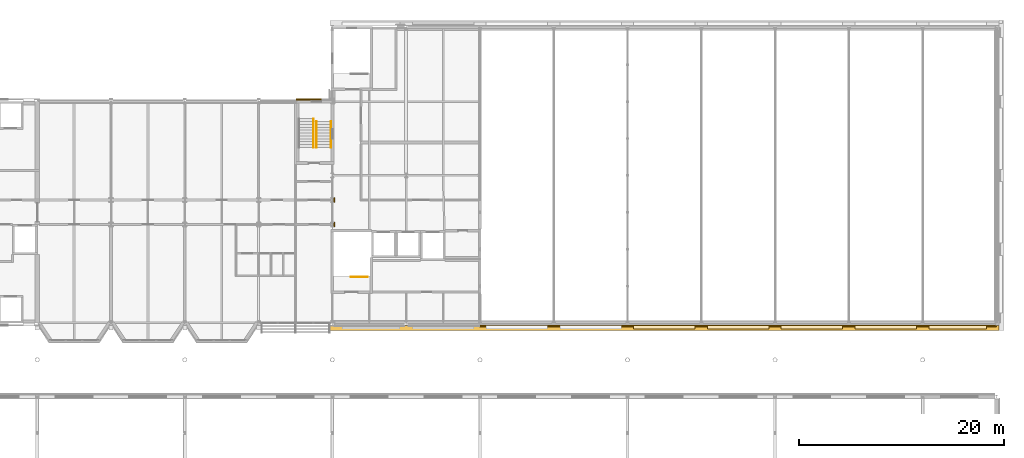
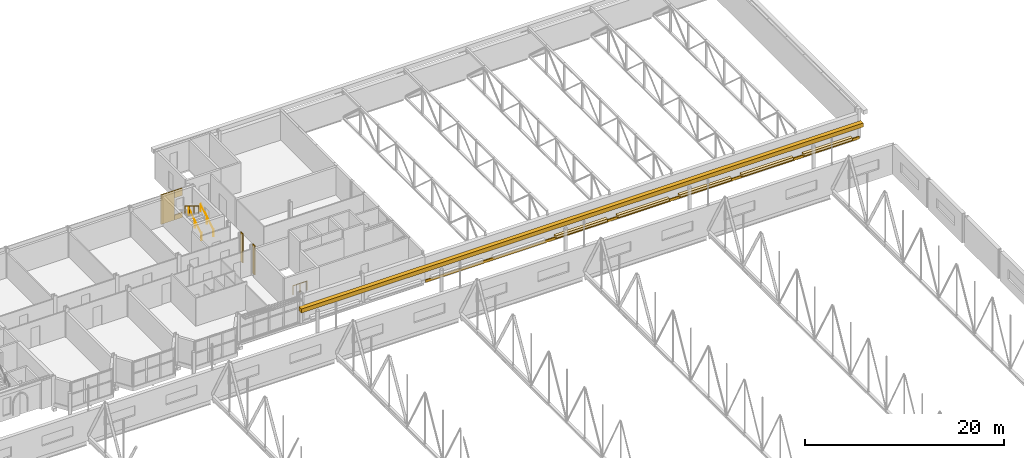
# One storey, part 137 of 142: 12 coverings, 4 railings.
"""IFC4 building model written with IfcOpenShell, lengths in metres."""

from ifc_helpers import new_model, si_unit, direction, frame, origin, origin_2d, place, context, subcontext, project, spatial, rectangle, circle, extrude, material, layer, layer_set, type_object, element, save


model = new_model("IFC4")

# Units and contexts
model_context = context("Model", 3, precision=1e-05, world=origin(), true_north=direction((0.0, 1.0)))
body_context = subcontext(model_context, "Body", "Model", "MODEL_VIEW")
ifc_project = project(units=[si_unit("LENGTHUNIT", "METRE"), si_unit("AREAUNIT", "SQUARE_METRE"), si_unit("VOLUMEUNIT", "CUBIC_METRE"), si_unit("PLANEANGLEUNIT", "RADIAN"), si_unit("MASSUNIT", "GRAM", prefix="KILO")], contexts=[model_context])

# Site, building, storey
site_placement = place(None, origin())
site = spatial("IfcSite", under=ifc_project, at=site_placement, CompositionType="ELEMENT")
building_placement = place(site_placement, origin())
building = spatial("IfcBuilding", under=site, at=building_placement, Name="Kupolbacken Congress Centre", CompositionType="ELEMENT")
storey_placement = place(building_placement, frame((0.0, 0.0, 14.39990234375)))
storey = spatial("IfcBuildingStorey", under=building, at=storey_placement, Name="L04", CompositionType="ELEMENT", Elevation=14.39990234375)

# Coverings
ifc_material_1 = material(Name="Limestone cladding", Category="masonry")
ifc_layer_1 = layer(ifc_material_1, 0.1201171875)
ifc_layer_set_1 = layer_set([ifc_layer_1], Name="Limestone cladding")
covering_type_1 = type_object("IfcCoveringType", Name="CV1 limestone cladding band 120", PredefinedType="CLADDING", material=ifc_layer_set_1)
covering_1_placement = place(storey_placement, frame((176.39990234375, 122.10009765625, 0.0), z_axis=(0.0, 0.0, 1.0), x_axis=(1.0, 0.0, 0.0)))
element("IfcCovering", 1, at=covering_1_placement, inside=storey, type_object=covering_type_1, Name="E/B/S/L04/399/band", PredefinedType="CLADDING", context=body_context, shape_type="SweptSolid", body=[
    extrude(rectangle(XDim=50.39990234375, YDim=0.1201171875, at=origin_2d()), origin(), (0.0, 0.0, 1.0), 0.300048828125),
])
for number, where, z_axis, x_axis, name in (
    (2, (137.0, 132.0, 0.0), (0.0, 0.0, 1.0), (1.0, 0.0, 0.0), "E/T/pilaster/L04/C-T-20U+2400/E"),
    (3, (137.0, 134.39990234375, 0.0), (0.0, 0.0, 1.0), (1.0, 0.0, 0.0), "E/T/pilaster/L04/C-T-20U+4800/E"),
):
    element("IfcCovering", number, at=place(storey_placement, frame(where, z_axis=z_axis, x_axis=x_axis)), inside=storey, type_object=covering_type_1, Name=name, PredefinedType="CLADDING", context=body_context, shape_type="SweptSolid", body=[
        extrude(rectangle(XDim=0.10009765625, YDim=0.449951171875, at=origin_2d()), origin(), (0.0, 0.0, 1.0), 3.60009765625),
    ])
covering_2_placement = place(storey_placement, frame((134.02490234375, 144.2099609375, 0.0), z_axis=(0.0, 0.0, 1.0), x_axis=(-1.0, 0.0, 0.0)))
element("IfcCovering", 4, at=covering_2_placement, inside=storey, type_object=covering_type_1, Name="S/core/L04/131/face1", PredefinedType="CLADDING", context=body_context, shape_type="SweptSolid", body=[
    extrude(rectangle(XDim=1.550048828125, YDim=0.1201171875, at=origin_2d()), origin(), (0.0, 0.0, 1.0), 3.60009765625),
])
covering_3_placement = place(storey_placement, frame((135.25, 144.2099609375, 0.0), z_axis=(0.0, 0.0, 1.0), x_axis=(-1.0, 0.0, 0.0)))
element("IfcCovering", 5, at=covering_3_placement, inside=storey, type_object=covering_type_1, Name="S/core/L04/131/face2", PredefinedType="CLADDING", context=body_context, shape_type="SweptSolid", body=[
    extrude(rectangle(XDim=0.89990234375, YDim=0.1201171875, at=origin_2d()), origin(), (0.0, 0.0, 1.0), 0.60009765625),
])
covering_4_placement = place(storey_placement, frame((135.25, 144.2099609375, 2.7001953125), z_axis=(0.0, 0.0, 1.0), x_axis=(-1.0, 0.0, 0.0)))
element("IfcCovering", 6, at=covering_4_placement, inside=storey, type_object=covering_type_1, Name="S/core/L04/131/face3", PredefinedType="CLADDING", context=body_context, shape_type="SweptSolid", body=[
    extrude(rectangle(XDim=0.89990234375, YDim=0.1201171875, at=origin_2d()), origin(), (0.0, 0.0, 1.0), 0.89990234375),
])
ifc_material_2 = material(Name="Limestone cladding", Category="masonry")
ifc_layer_2 = layer(ifc_material_2, 0.5)
ifc_layer_set_2 = layer_set([ifc_layer_2], Name="Limestone cladding")
covering_type_2 = type_object("IfcCoveringType", Name="CV10 limestone cornice 500", PredefinedType="CLADDING", material=ifc_layer_set_2)
covering_5_placement = place(storey_placement, frame((169.199951171875, 121.909912109375, 1.60009765625), z_axis=(0.0, 0.0, 1.0), x_axis=(1.0, 0.0, 0.0)))
element("IfcCovering", 7, at=covering_5_placement, inside=storey, type_object=covering_type_2, Name="F/B/S/cornice", PredefinedType="CLADDING", context=body_context, shape_type="SweptSolid", body=[
    extrude(rectangle(XDim=65.280029296875, YDim=0.5, at=origin_2d()), origin(), (0.0, 0.0, 1.0), 0.5),
])
ifc_material_3 = material(Name="Limestone cladding", Category="masonry")
ifc_layer_3 = layer(ifc_material_3, 0.35009765625)
ifc_layer_set_3 = layer_set([ifc_layer_3], Name="Limestone cladding")
covering_type_3 = type_object("IfcCoveringType", Name="CV3 limestone pilaster strip 350", PredefinedType="CLADDING", material=ifc_layer_set_3)
for number, where, z_axis, x_axis, name in (
    (8, (169.199951171875, 121.985107421875, 0.30029296875), (0.0, 0.0, 1.0), (1.0, 0.0, 0.0), "F/B/S/string/04"),
    (9, (176.39990234375, 121.985107421875, 0.30029296875), (0.0, 0.0, 1.0), (1.0, 0.0, 0.0), "F/B/S/string/05"),
    (10, (183.60009765625, 121.985107421875, 0.30029296875), (0.0, 0.0, 1.0), (1.0, 0.0, 0.0), "F/B/S/string/06"),
    (11, (190.800048828125, 121.985107421875, 0.30029296875), (0.0, 0.0, 1.0), (1.0, 0.0, 0.0), "F/B/S/string/07"),
):
    element("IfcCovering", number, at=place(storey_placement, frame(where, z_axis=z_axis, x_axis=x_axis)), inside=storey, type_object=covering_type_3, Name=name, PredefinedType="CLADDING", context=body_context, shape_type="SweptSolid", body=[
        extrude(rectangle(XDim=6.0, YDim=0.35009765625, at=origin_2d()), origin(), (0.0, 0.0, 1.0), 0.300048828125),
    ])
covering_6_placement = place(storey_placement, frame((197.820068359375, 121.985107421875, 0.30029296875), z_axis=(0.0, 0.0, 1.0), x_axis=(1.0, 0.0, 0.0)))
element("IfcCovering", 12, at=covering_6_placement, inside=storey, type_object=covering_type_3, Name="F/B/S/string/08", PredefinedType="CLADDING", context=body_context, shape_type="SweptSolid", body=[
    extrude(rectangle(XDim=5.639892578125, YDim=0.35009765625, at=origin_2d()), origin(), (0.0, 0.0, 1.0), 0.300048828125),
])

# Railings
ifc_material_4 = material(Name="Steel S235", Category="steel")
railing_type_1 = type_object("IfcRailingType", Name="RL1 guard 1100 steel balustrade", PredefinedType="GUARDRAIL", material=ifc_material_4)
railing_1_placement = place(storey_placement, frame((140.22509765625, 126.885009765625, 0.0)))
element("IfcRailing", 13, at=railing_1_placement, inside=storey, type_object=railing_type_1, Name="C/guard/BS1/L04", PredefinedType="GUARDRAIL", context=body_context, shape_type="SweptSolid", body=[
    extrude(circle(Radius=0.02392578125, at=origin_2d()), frame((0.0, 0.0, 1.076171875), z_axis=(-1.0, 0.0, 0.0), x_axis=(0.0, -1.0, 0.0)), (0.0, 0.0, 1.0), 1.625),
    extrude(circle(Radius=0.02099609375, at=origin_2d()), origin(), (0.0, 0.0, 1.0), 1.052001953125),
    extrude(circle(Radius=0.02099609375, at=origin_2d()), frame((-0.8125, 0.0, 0.0)), (0.0, 0.0, 1.0), 1.052001953125),
    extrude(circle(Radius=0.02099609375, at=origin_2d()), frame((-1.625, 0.0, 0.0)), (0.0, 0.0, 1.0), 1.052001953125),
])
ifc_material_5 = material(Name="Steel S235", Category="steel")
railing_type_2 = type_object("IfcRailingType", Name="RL3 handrail wall-mounted 900", PredefinedType="HANDRAIL", material=ifc_material_5)
for number, where, name in (
    (14, (135.25, 139.530029296875, 0.171630859375), "C/stair/TS4/L04/HR1L"),
    (15, (136.64990234375, 139.530029296875, 0.171630859375), "C/stair/TS4/L04/HR1R"),
):
    element("IfcRailing", number, at=place(storey_placement, frame(where)), inside=storey, type_object=railing_type_2, Name=name, PredefinedType="HANDRAIL", context=body_context, shape_type="SweptSolid", body=[
        extrude(circle(Radius=0.02392578125, at=origin_2d()), frame((0.0, 0.0, 0.8759765625), z_axis=(0.0, 0.852873080145, 0.522118290393), x_axis=(-1.0, 0.0, 0.0)), (0.0, 0.0, 1.0), 2.954833984375),
        extrude(circle(Radius=0.02099609375, at=origin_2d()), origin(), (0.0, 0.0, 1.0), 0.851806640625),
        extrude(circle(Radius=0.02099609375, at=origin_2d()), frame((0.0, 1.260009765625, 0.771484375)), (0.0, 0.0, 1.0), 0.851806640625),
        extrude(circle(Radius=0.02099609375, at=origin_2d()), frame((0.0, 2.52001953125, 1.542724609375)), (0.0, 0.0, 1.0), 0.851806640625),
    ])
railing_2_placement = place(storey_placement, frame((134.949951171875, 142.330078125, 1.8857421875)))
element("IfcRailing", 16, at=railing_2_placement, inside=storey, type_object=railing_type_2, Name="C/stair/TS4/L04/HR2L", PredefinedType="HANDRAIL", context=body_context, shape_type="SweptSolid", body=[
    extrude(circle(Radius=0.02392578125, at=origin_2d()), frame((0.0, 0.0, 0.8759765625), z_axis=(0.0, -0.852845897599, 0.522162690116), x_axis=(1.0, 0.0, 0.0)), (0.0, 0.0, 1.0), 3.283203125),
    extrude(circle(Radius=0.02099609375, at=origin_2d()), origin(), (0.0, 0.0, 1.0), 0.851806640625),
    extrude(circle(Radius=0.02099609375, at=origin_2d()), frame((0.0, -0.933349609375, 0.571533203125)), (0.0, 0.0, 1.0), 0.851806640625),
    extrude(circle(Radius=0.02099609375, at=origin_2d()), frame((0.0, -1.86669921875, 1.142822265625)), (0.0, 0.0, 1.0), 0.851806640625),
    extrude(circle(Radius=0.02099609375, at=origin_2d()), frame((0.0, -2.800048828125, 1.71435546875)), (0.0, 0.0, 1.0), 0.851806640625),
])

save(model, "model.ifc")
